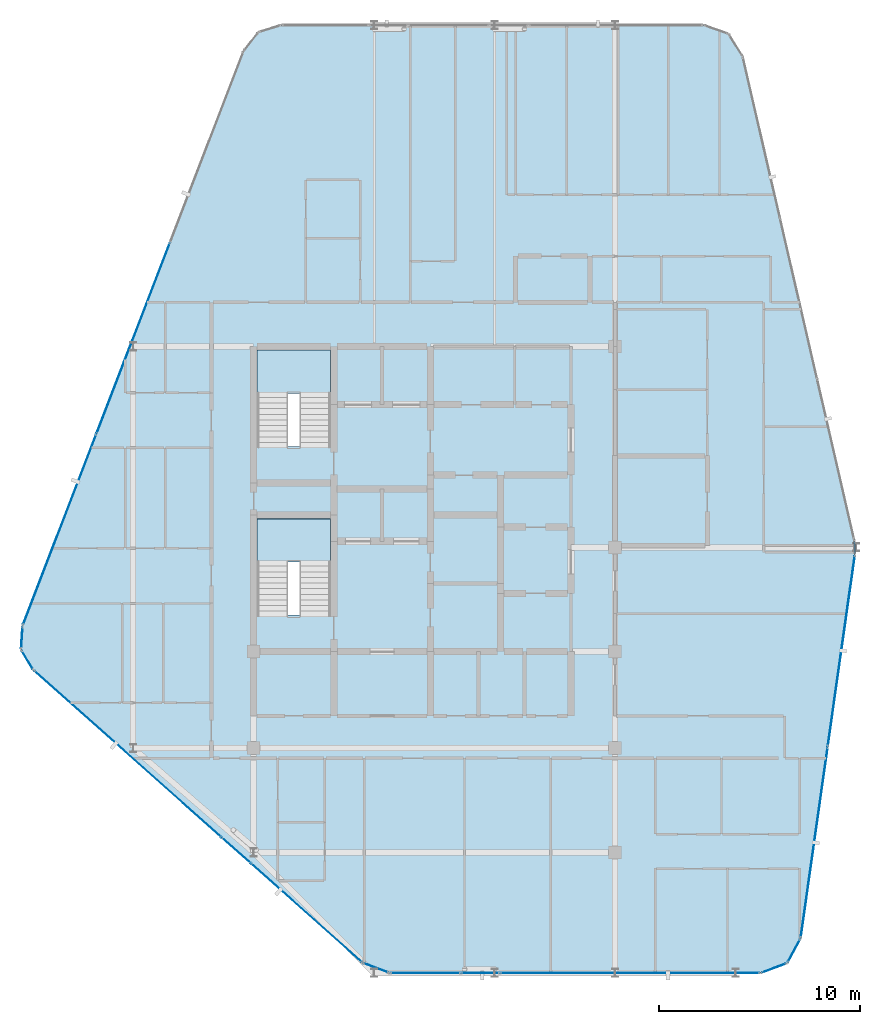
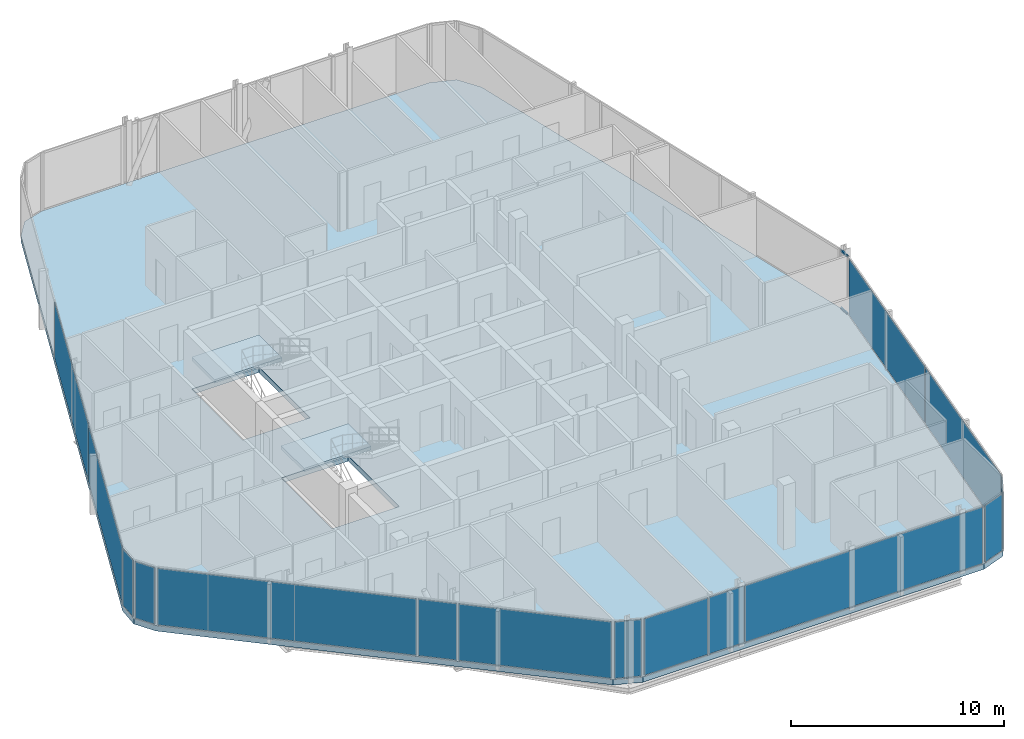
# One storey, part 20 of 27: 15 plates, 3 slabs, 2 members, 16 elements without a shape of their own.
"""IFC4 building model written with IfcOpenShell, lengths in metres."""

from ifc_helpers import new_model, si_unit, direction, frame, origin, origin_2d, place, context, subcontext, project, spatial, polyline, rectangle, hollow_rectangle, outline, extrude, material, layer, layer_set, material_profile, profile_set, type_object, element, aggregate, save


model = new_model("IFC4")

# Units and contexts
model_context = context("Model", 3, precision=1e-05, world=origin(), true_north=direction((0.0, 1.0)))
body_context = subcontext(model_context, "Body", "Model", "MODEL_VIEW")
ifc_project = project(units=[si_unit("LENGTHUNIT", "METRE"), si_unit("AREAUNIT", "SQUARE_METRE"), si_unit("VOLUMEUNIT", "CUBIC_METRE"), si_unit("PLANEANGLEUNIT", "RADIAN"), si_unit("MASSUNIT", "GRAM", prefix="KILO")], contexts=[model_context])

# Site, building, storey
site_placement = place(None, origin())
site = spatial("IfcSite", under=ifc_project, at=site_placement, CompositionType="ELEMENT")
building_placement = place(site_placement, origin())
building = spatial("IfcBuilding", under=site, at=building_placement, Name="Keshet Zoharim Tower", CompositionType="ELEMENT")
storey_placement = place(building_placement, frame((0.0, 0.0, 295.39990234375)))
storey = spatial("IfcBuildingStorey", under=building, at=storey_placement, Name="L74", CompositionType="ELEMENT", Elevation=295.39990234375)

# Curtain wall, members
ifc_material_1 = material(Name="Aluminium 6063-T6", Category="aluminium")
ifc_layer_1 = layer(ifc_material_1, 0.260009765625)
ifc_layer_set_1 = layer_set([ifc_layer_1], Name="Aluminium 6063-T6")
curtain_wall_type = type_object("IfcCurtainWallType", Name="CW-SYS-06", PredefinedType="NOTDEFINED", material=ifc_layer_set_1)
curtain_wall_1_placement = place(storey_placement, origin())
curtain_wall_1 = element("IfcCurtainWall", 1, at=curtain_wall_1_placement, inside=storey, type_object=curtain_wall_type, Name="L74 Unitised Curtain Wall 10", PredefinedType="NOTDEFINED")
ifc_material_profile = material_profile(ifc_material_1, hollow_rectangle(XDim=0.074951171875, YDim=0.1201171875, WallThickness=0.00390625, at=origin_2d()), Name="TRN-75x120")
ifc_profile_set = profile_set([ifc_material_profile], Name="Aluminium 6063-T6")
member_type = type_object("IfcMemberType", Name="CWT-T12", PredefinedType="USERDEFINED", material=ifc_profile_set)
member_1_placement = place(storey_placement, frame((44.9189453125, 28.192138671875, 0.03515625), z_axis=(0.043813905352, -0.99903970977, 0.0), x_axis=(0.99903970977, 0.043813905352, 0.0)))
member_1 = element("IfcMember", 2, at=member_1_placement, type_object=member_type, Name="CW-06 transom 1.1", ObjectType="TRANSOM", PredefinedType="USERDEFINED", context=body_context, shape_type="SweptSolid", body=[
    extrude(hollow_rectangle(XDim=0.074951171875, YDim=0.1201171875, WallThickness=0.00390625, at=origin_2d()), origin(), (0.0, 0.0, 1.0), 0.590576171875),
])
member_2_placement = place(storey_placement, frame((44.9189453125, 28.192138671875, 3.34521484375), z_axis=(0.043813905352, -0.99903970977, 0.0), x_axis=(0.99903970977, 0.043813905352, 0.0)))
member_2 = element("IfcMember", 3, at=member_2_placement, type_object=member_type, Name="CW-06 transom 1.2", ObjectType="TRANSOM", PredefinedType="USERDEFINED", context=body_context, shape_type="SweptSolid", body=[
    extrude(hollow_rectangle(XDim=0.074951171875, YDim=0.1201171875, WallThickness=0.00390625, at=origin_2d()), origin(), (0.0, 0.0, 1.0), 0.590576171875),
])
aggregate(curtain_wall_1, [member_1, member_2])

# Curtain wall, plate
curtain_wall_2_placement = place(storey_placement, origin())
curtain_wall_2 = element("IfcCurtainWall", 4, at=curtain_wall_2_placement, inside=storey, type_object=curtain_wall_type, Name="L74 Unitised Curtain Wall 01", PredefinedType="NOTDEFINED")
ifc_material_2 = material(Name="Insulated Low-E Clear Glass", Category="glass")
ifc_layer_2 = layer(ifc_material_2, 0.028076171875)
ifc_layer_set_2 = layer_set([ifc_layer_2], Name="Insulated Low-E Clear Glass")
plate_type_1 = type_object("IfcPlateType", Name="CWP-03", PredefinedType="CURTAIN_PANEL", material=ifc_layer_set_2)
plate_1_placement = place(storey_placement, frame((3.7275390625, 22.291015625, 0.0703125), z_axis=(0.0, 0.0, 1.0), x_axis=(-0.515604947933, 0.856826433805, 0.0)))
plate_1 = element("IfcPlate", 5, at=plate_1_placement, type_object=plate_type_1, Name="CW-06 panel 1.1", PredefinedType="CURTAIN_PANEL", context=body_context, shape_type="SweptSolid", body=[
    extrude(rectangle(XDim=1.052734375, YDim=0.028076171875, at=origin_2d()), origin(), (0.0, 0.0, 1.0), 3.239990234375),
])
aggregate(curtain_wall_2, [plate_1])

curtain_wall_3_placement = place(storey_placement, origin())
curtain_wall_3 = element("IfcCurtainWall", 6, at=curtain_wall_3_placement, inside=storey, type_object=curtain_wall_type, Name="L74 Unitised Curtain Wall 02", PredefinedType="NOTDEFINED")
plate_2_placement = place(storey_placement, frame((3.45849609375, 23.3974609375, 0.0703125), z_axis=(0.0, 0.0, 1.0), x_axis=(0.064516859374, 0.997916617186, 0.0)))
plate_2 = element("IfcPlate", 7, at=plate_2_placement, type_object=plate_type_1, Name="CW-06 panel 1.1", PredefinedType="CURTAIN_PANEL", context=body_context, shape_type="SweptSolid", body=[
    extrude(rectangle(XDim=1.053466796875, YDim=0.028076171875, at=origin_2d()), origin(), (0.0, 0.0, 1.0), 3.239990234375),
])
aggregate(curtain_wall_3, [plate_2])

# Curtain wall, plates
curtain_wall_4_placement = place(storey_placement, origin())
curtain_wall_4 = element("IfcCurtainWall", 8, at=curtain_wall_4_placement, inside=storey, type_object=curtain_wall_type, Name="L74 Unitised Curtain Wall 03", PredefinedType="NOTDEFINED")
plate_3_placement = place(storey_placement, frame((5.33837890625, 28.7802734375, 0.0703125), z_axis=(0.0, 0.0, 1.0), x_axis=(0.358990003907, 0.933341404361, 0.0)))
plate_3 = element("IfcPlate", 9, at=plate_3_placement, type_object=plate_type_1, Name="CW-06 panel 1.1", PredefinedType="CURTAIN_PANEL", context=body_context, shape_type="SweptSolid", body=[
    extrude(rectangle(XDim=10.1181640625, YDim=0.028076171875, at=origin_2d()), origin(), (0.0, 0.0, 1.0), 3.239990234375),
])
plate_4_placement = place(storey_placement, frame((9.001953125, 38.305419921875, 0.0703125), z_axis=(0.0, 0.0, 1.0), x_axis=(0.358990003907, 0.933341404361, 0.0)))
plate_4 = element("IfcPlate", 10, at=plate_4_placement, type_object=plate_type_1, Name="CW-06 panel 2.1", PredefinedType="CURTAIN_PANEL", context=body_context, shape_type="SweptSolid", body=[
    extrude(rectangle(XDim=10.153076171875, YDim=0.028076171875, at=origin_2d()), origin(), (0.0, 0.0, 1.0), 3.239990234375),
])
aggregate(curtain_wall_4, [plate_3, plate_4])

curtain_wall_5_placement = place(storey_placement, origin())
curtain_wall_5 = element("IfcCurtainWall", 11, at=curtain_wall_5_placement, inside=storey, type_object=curtain_wall_type, Name="L74 Unitised Curtain Wall 11", PredefinedType="NOTDEFINED")
plate_5_placement = place(storey_placement, frame((44.269287109375, 22.736572265625, 0.0703125), z_axis=(0.0, 0.0, 1.0), x_axis=(-0.140137464177, -0.990132057422, 0.0)))
plate_5 = element("IfcPlate", 12, at=plate_5_placement, type_object=plate_type_1, Name="CW-06 panel 1.1", PredefinedType="CURTAIN_PANEL", context=body_context, shape_type="SweptSolid", body=[
    extrude(rectangle(XDim=9.546142578125, YDim=0.028076171875, at=origin_2d()), origin(), (0.0, 0.0, 1.0), 3.239990234375),
])
plate_6_placement = place(storey_placement, frame((42.921630859375, 13.21533203125, 0.0703125), z_axis=(0.0, 0.0, 1.0), x_axis=(-0.140137464177, -0.990132057422, 0.0)))
plate_6 = element("IfcPlate", 13, at=plate_6_placement, type_object=plate_type_1, Name="CW-06 panel 2.1", PredefinedType="CURTAIN_PANEL", context=body_context, shape_type="SweptSolid", body=[
    extrude(rectangle(XDim=9.546142578125, YDim=0.028076171875, at=origin_2d()), origin(), (0.0, 0.0, 1.0), 3.239990234375),
])
aggregate(curtain_wall_5, [plate_5, plate_6])

# Curtain wall, plate
curtain_wall_6_placement = place(storey_placement, origin())
curtain_wall_6 = element("IfcCurtainWall", 14, at=curtain_wall_6_placement, inside=storey, type_object=curtain_wall_type, Name="L74 Unitised Curtain Wall 12", PredefinedType="NOTDEFINED")
plate_7_placement = place(storey_placement, frame((41.908447265625, 7.804931640625, 0.0703125), z_axis=(0.0, 0.0, 1.0), x_axis=(-0.477800955789, -0.878468125004, 0.0)))
plate_7 = element("IfcPlate", 15, at=plate_7_placement, type_object=plate_type_1, Name="CW-06 panel 1.1", PredefinedType="CURTAIN_PANEL", context=body_context, shape_type="SweptSolid", body=[
    extrude(rectangle(XDim=1.26025390625, YDim=0.028076171875, at=origin_2d()), origin(), (0.0, 0.0, 1.0), 3.239990234375),
])
aggregate(curtain_wall_6, [plate_7])

curtain_wall_7_placement = place(storey_placement, origin())
curtain_wall_7 = element("IfcCurtainWall", 16, at=curtain_wall_7_placement, inside=storey, type_object=curtain_wall_type, Name="L74 Unitised Curtain Wall 13", PredefinedType="NOTDEFINED")
plate_8_placement = place(storey_placement, frame((40.91845703125, 6.945068359375, 0.0703125), z_axis=(0.0, 0.0, 1.0), x_axis=(-0.936710343781, -0.350105315376, 0.0)))
plate_8 = element("IfcPlate", 17, at=plate_8_placement, type_object=plate_type_1, Name="CW-06 panel 1.1", PredefinedType="CURTAIN_PANEL", context=body_context, shape_type="SweptSolid", body=[
    extrude(rectangle(XDim=1.259521484375, YDim=0.028076171875, at=origin_2d()), origin(), (0.0, 0.0, 1.0), 3.239990234375),
])
aggregate(curtain_wall_7, [plate_8])

curtain_wall_8_placement = place(storey_placement, origin())
curtain_wall_8 = element("IfcCurtainWall", 18, at=curtain_wall_8_placement, inside=storey, type_object=curtain_wall_type, Name="L74 Unitised Curtain Wall 14", PredefinedType="NOTDEFINED")
plate_9_placement = place(storey_placement, frame((33.743896484375, 6.699951171875, 0.0703125), z_axis=(0.0, 0.0, 1.0), x_axis=(-1.0, 0.0, 0.0)))
plate_9 = element("IfcPlate", 19, at=plate_9_placement, type_object=plate_type_1, Name="CW-06 panel 1.1", PredefinedType="CURTAIN_PANEL", context=body_context, shape_type="SweptSolid", body=[
    extrude(rectangle(XDim=12.898193359375, YDim=0.028076171875, at=origin_2d()), origin(), (0.0, 0.0, 1.0), 3.239990234375),
])
aggregate(curtain_wall_8, [plate_9])

curtain_wall_9_placement = place(storey_placement, origin())
curtain_wall_9 = element("IfcCurtainWall", 20, at=curtain_wall_9_placement, inside=storey, type_object=curtain_wall_type, Name="L74 Unitised Curtain Wall 14 Part 3", PredefinedType="NOTDEFINED")
plate_10_placement = place(storey_placement, frame((23.552490234375, 6.699951171875, 0.0703125), z_axis=(0.0, 0.0, 1.0), x_axis=(-1.0, 0.0, 0.0)))
plate_10 = element("IfcPlate", 21, at=plate_10_placement, type_object=plate_type_1, Name="CW-06 panel 1.1", PredefinedType="CURTAIN_PANEL", context=body_context, shape_type="SweptSolid", body=[
    extrude(rectangle(XDim=3.4453125, YDim=0.028076171875, at=origin_2d()), origin(), (0.0, 0.0, 1.0), 3.239990234375),
])
aggregate(curtain_wall_9, [plate_10])

curtain_wall_10_placement = place(storey_placement, origin())
curtain_wall_10 = element("IfcCurtainWall", 22, at=curtain_wall_10_placement, inside=storey, type_object=curtain_wall_type, Name="L74 Unitised Curtain Wall 15", PredefinedType="NOTDEFINED")
plate_11_placement = place(storey_placement, frame((21.095947265625, 6.952392578125, 0.0703125), z_axis=(0.0, 0.0, 1.0), x_axis=(-0.934699418314, 0.355439161326, 0.0)))
plate_11 = element("IfcPlate", 23, at=plate_11_placement, type_object=plate_type_1, Name="CW-06 panel 1.1", PredefinedType="CURTAIN_PANEL", context=body_context, shape_type="SweptSolid", body=[
    extrude(rectangle(XDim=1.28076171875, YDim=0.028076171875, at=origin_2d()), origin(), (0.0, 0.0, 1.0), 3.239990234375),
])
aggregate(curtain_wall_10, [plate_11])

curtain_wall_11_placement = place(storey_placement, origin())
curtain_wall_11 = element("IfcCurtainWall", 24, at=curtain_wall_11_placement, inside=storey, type_object=curtain_wall_type, Name="L74 Unitised Curtain Wall 16", PredefinedType="NOTDEFINED")
plate_12_placement = place(storey_placement, frame((17.634521484375, 9.691650390625, 0.0703125), z_axis=(0.0, 0.0, 1.0), x_axis=(-0.747410792699, 0.664362180559, 0.0)))
plate_12 = element("IfcPlate", 25, at=plate_12_placement, type_object=plate_type_1, Name="CW-06 panel 1.1", PredefinedType="CURTAIN_PANEL", context=body_context, shape_type="SweptSolid", body=[
    extrude(rectangle(XDim=7.345947265625, YDim=0.028076171875, at=origin_2d()), origin(), (0.0, 0.0, 1.0), 3.239990234375),
])
aggregate(curtain_wall_11, [plate_12])

curtain_wall_12_placement = place(storey_placement, origin())
curtain_wall_12 = element("IfcCurtainWall", 26, at=curtain_wall_12_placement, inside=storey, type_object=curtain_wall_type, Name="L74 Unitised Curtain Wall 16 Part 3", PredefinedType="NOTDEFINED")
plate_13_placement = place(storey_placement, frame((8.733642578125, 17.603515625, 0.0703125), z_axis=(0.0, 0.0, 1.0), x_axis=(-0.747412848903, 0.664359867312, 0.0)))
plate_13 = element("IfcPlate", 27, at=plate_13_placement, type_object=plate_type_1, Name="CW-06 panel 1.1", PredefinedType="CURTAIN_PANEL", context=body_context, shape_type="SweptSolid", body=[
    extrude(rectangle(XDim=12.432861328125, YDim=0.028076171875, at=origin_2d()), origin(), (0.0, 0.0, 1.0), 3.239990234375),
])
aggregate(curtain_wall_12, [plate_13])

curtain_wall_13_placement = place(storey_placement, origin())
curtain_wall_13 = element("IfcCurtainWall", 28, at=curtain_wall_13_placement, inside=storey, type_object=curtain_wall_type, Name="L74 Unitised Curtain Wall 14 Part 2", PredefinedType="NOTDEFINED")
ifc_material_3 = material(Name="Insulated Aluminium Spandrel Panel", Category="aluminium")
ifc_layer_3 = layer(ifc_material_3, 0.028076171875)
ifc_layer_set_3 = layer_set([ifc_layer_3], Name="Insulated Aluminium Spandrel Panel")
plate_type_2 = type_object("IfcPlateType", Name="CWP-06", PredefinedType="CURTAIN_PANEL", material=ifc_layer_set_3)
plate_14_placement = place(storey_placement, frame((26.284912109375, 6.699951171875, 0.0703125), z_axis=(0.0, 0.0, 1.0), x_axis=(-1.0, 0.0, 0.0)))
plate_14 = element("IfcPlate", 29, at=plate_14_placement, type_object=plate_type_2, Name="CW-06 spandrel panel 1.1", PredefinedType="CURTAIN_PANEL", context=body_context, shape_type="SweptSolid", body=[
    extrude(rectangle(XDim=1.879638671875, YDim=0.028076171875, at=origin_2d()), origin(), (0.0, 0.0, 1.0), 3.239990234375),
])
aggregate(curtain_wall_13, [plate_14])

curtain_wall_14_placement = place(storey_placement, origin())
curtain_wall_14 = element("IfcCurtainWall", 30, at=curtain_wall_14_placement, inside=storey, type_object=curtain_wall_type, Name="L74 Unitised Curtain Wall 16 Part 2", PredefinedType="NOTDEFINED")
plate_15_placement = place(storey_placement, frame((14.134521484375, 12.802734375, 0.0703125), z_axis=(0.0, 0.0, 1.0), x_axis=(-0.747409318679, 0.664363838836, 0.0)))
plate_15 = element("IfcPlate", 31, at=plate_15_placement, type_object=plate_type_2, Name="CW-06 spandrel panel 1.1", PredefinedType="CURTAIN_PANEL", context=body_context, shape_type="SweptSolid", body=[
    extrude(rectangle(XDim=1.879638671875, YDim=0.028076171875, at=origin_2d()), origin(), (0.0, 0.0, 1.0), 3.239990234375),
])
aggregate(curtain_wall_14, [plate_15])

# Stair, slab
ifc_material_4 = material(Name="Concrete C50/60", Category="concrete")
stair_type = type_object("IfcStairType", Name="STR-EXIT-135", PredefinedType="HALF_TURN_STAIR", material=ifc_material_4)
stair_1_placement = place(storey_placement, origin())
stair_1 = element("IfcStair", 32, at=stair_1_placement, inside=storey, type_object=stair_type, Name="L74 Enclosed Exit Stair ST-01", PredefinedType="HALF_TURN_STAIR")
ifc_layer_4 = layer(ifc_material_4, 0.199951171875)
ifc_layer_set_4 = layer_set([ifc_layer_4], Name="Concrete C50/60")
slab_type_1 = type_object("IfcSlabType", Name="SLB-LND-200", PredefinedType="LANDING", material=ifc_layer_set_4)
slab_1_placement = place(storey_placement, frame((0.0, 0.0, 1.650146484375)))
slab_1 = element("IfcSlab", 33, at=slab_1_placement, type_object=slab_type_1, Name="ST-01 landing 1", PredefinedType="LANDING", context=body_context, shape_type="SweptSolid", body=[
    extrude(outline(polyline([(15.179931640625, 27.159912109375), (18.820068359375, 27.159912109375), (18.820068359375, 29.320068359375), (15.179931640625, 29.320068359375), (15.179931640625, 27.159912109375)])), origin(), (0.0, 0.0, 1.0), 0.199951171875),
])
aggregate(stair_1, [slab_1])

stair_2_placement = place(storey_placement, origin())
stair_2 = element("IfcStair", 34, at=stair_2_placement, inside=storey, type_object=stair_type, Name="L74 Enclosed Exit Stair ST-02", PredefinedType="HALF_TURN_STAIR")
slab_2_placement = place(storey_placement, frame((0.0, 0.0, 1.650146484375)))
slab_2 = element("IfcSlab", 35, at=slab_2_placement, type_object=slab_type_1, Name="ST-02 landing 1", PredefinedType="LANDING", context=body_context, shape_type="SweptSolid", body=[
    extrude(outline(polyline([(15.179931640625, 35.56005859375), (18.820068359375, 35.56005859375), (18.820068359375, 37.719970703125), (15.179931640625, 37.719970703125), (15.179931640625, 35.56005859375)])), origin(), (0.0, 0.0, 1.0), 0.199951171875),
])
aggregate(stair_2, [slab_2])

# Slab
ifc_layer_5 = layer(ifc_material_4, 0.31005859375)
ifc_layer_set_5 = layer_set([ifc_layer_5], Name="Concrete C50/60")
slab_type_2 = type_object("IfcSlabType", Name="SLB-UPP-240", PredefinedType="FLOOR", material=ifc_layer_set_5)
slab_3_placement = place(storey_placement, frame((0.0, 0.0, -0.309814453125)))
element("IfcSlab", 36, at=slab_3_placement, inside=storey, type_object=slab_type_2, Name="L74 Structural Floor Slab 1", PredefinedType="FLOOR", context=body_context, shape_type="SweptSolid", body=[
    extrude(outline(polyline([(4.034912109375, 21.780029296875), (3.419921875, 22.802001953125), (3.4970703125, 23.992919921875), (14.507080078125, 52.617919921875), (15.240966796875, 53.549072265625), (16.3740234375, 53.89990234375), (37.408935546875, 53.89990234375), (38.654052734375, 53.465087890625), (39.35791015625, 52.35009765625), (44.916015625, 28.261962890625), (44.947998046875, 27.531982421875), (42.242919921875, 8.419921875), (41.573974609375, 7.18994140625), (40.262939453125, 6.699951171875), (21.760009765625, 6.699951171875), (20.431884765625, 7.205078125), (4.034912109375, 21.780029296875)]), holes=[polyline([(15.179931640625, 24.52001953125), (18.820068359375, 24.52001953125), (18.820068359375, 29.320068359375), (15.179931640625, 29.320068359375), (15.179931640625, 24.52001953125)]), polyline([(15.179931640625, 32.919921875), (18.820068359375, 32.919921875), (18.820068359375, 37.719970703125), (15.179931640625, 37.719970703125), (15.179931640625, 32.919921875)])]), origin(), (0.0, 0.0, 1.0), 0.309814453125),
])

save(model, "model.ifc")
